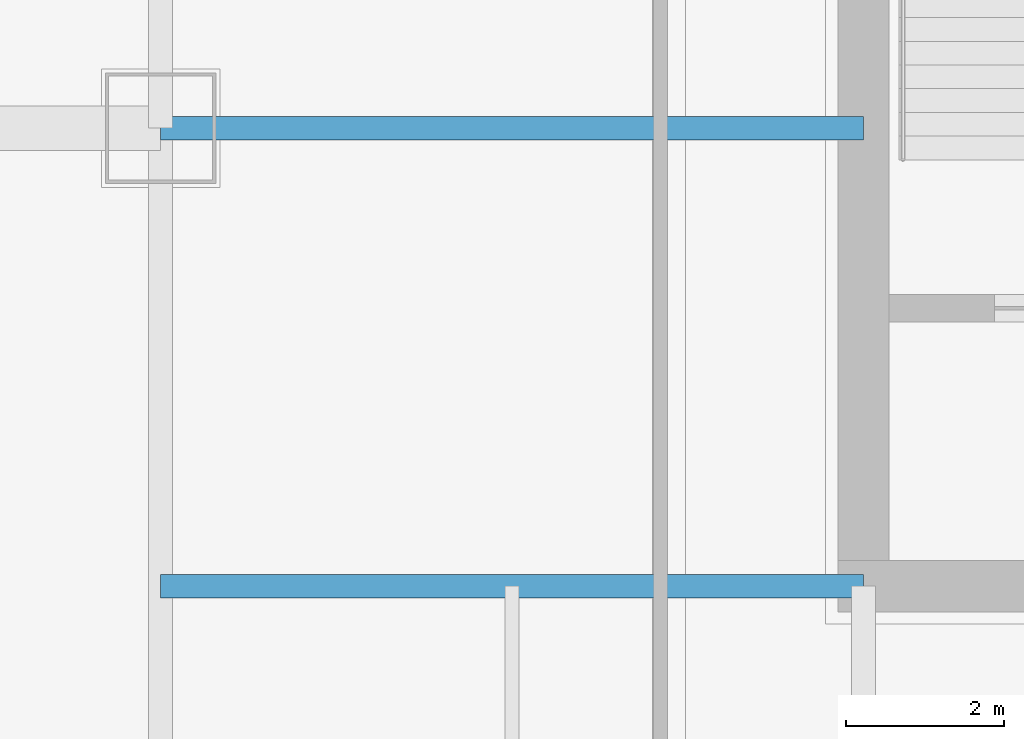
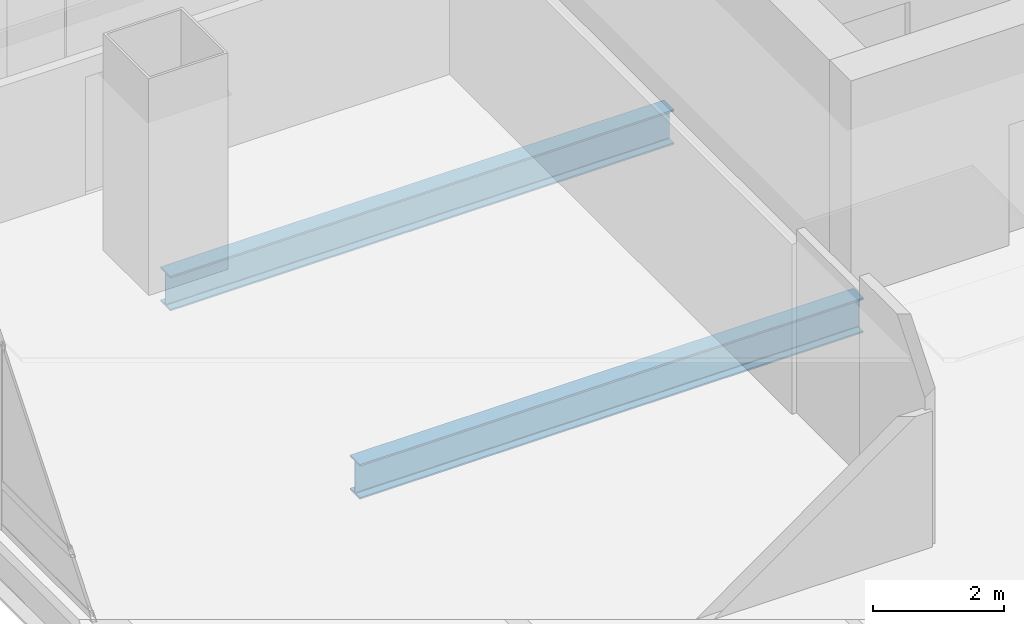
# One storey, part 6 of 38: 2 beams.
"""IFC4 building model written with IfcOpenShell, lengths in metres."""

from ifc_helpers import new_model, si_unit, direction, frame, origin, origin_2d, place, context, subcontext, project, spatial, i_section, extrude, material, material_profile, profile_set, type_object, element, save


model = new_model("IFC4")

# Units and contexts
model_context = context("Model", 3, precision=1e-05, world=origin(), true_north=direction((0.0, 1.0)))
body_context = subcontext(model_context, "Body", "Model", "MODEL_VIEW")
ifc_project = project(units=[si_unit("LENGTHUNIT", "METRE"), si_unit("AREAUNIT", "SQUARE_METRE"), si_unit("VOLUMEUNIT", "CUBIC_METRE"), si_unit("PLANEANGLEUNIT", "RADIAN"), si_unit("MASSUNIT", "GRAM", prefix="KILO")], contexts=[model_context])

# Site, building, storey
site_placement = place(None, origin())
site = spatial("IfcSite", under=ifc_project, at=site_placement, CompositionType="ELEMENT")
building_placement = place(site_placement, origin())
building = spatial("IfcBuilding", under=site, at=building_placement, Name="Punatoya Terracotta Tower", CompositionType="ELEMENT")
storey_placement = place(building_placement, frame((0.0, 0.0, 143.85009765625)))
storey = spatial("IfcBuildingStorey", under=building, at=storey_placement, Name="L33", CompositionType="ELEMENT", Elevation=143.85009765625)

# Beams
ifc_material = material(Name="Steel S355", Category="steel")
ifc_material_profile = material_profile(ifc_material, i_section(OverallWidth=0.300048828125, OverallDepth=0.64990234375, WebThickness=0.01611328125, FlangeThickness=0.031005859375, FilletRadius=0.01806640625, at=origin_2d()))
ifc_profile_set = profile_set([ifc_material_profile], Name="Steel S355")
beam_type = type_object("IfcBeamType", Name="BM-PRI-650", PredefinedType="BEAM", material=ifc_profile_set)
for number, where, z_axis, x_axis, name in (
    (1, (-19.10009765625, -9.199951171875, -0.545166015625), (1.0, 0.0, 0.0), (0.0, 1.0, 0.0), "BM-L33-PR-WS"),
    (2, (-19.10009765625, -3.39990234375, -0.545166015625), (1.0, 0.0, 0.0), (0.0, 1.0, 0.0), "BM-L33-PR-WD"),
):
    element("IfcBeam", number, at=place(storey_placement, frame(where, z_axis=z_axis, x_axis=x_axis)), inside=storey, type_object=beam_type, Name=name, PredefinedType="BEAM", context=body_context, shape_type="SweptSolid", body=[
        extrude(i_section(OverallWidth=0.300048828125, OverallDepth=0.64990234375, WebThickness=0.01611328125, FlangeThickness=0.031005859375, FilletRadius=0.01806640625, at=origin_2d()), origin(), (0.0, 0.0, 1.0), 8.900146484375),
    ])

save(model, "model.ifc")
